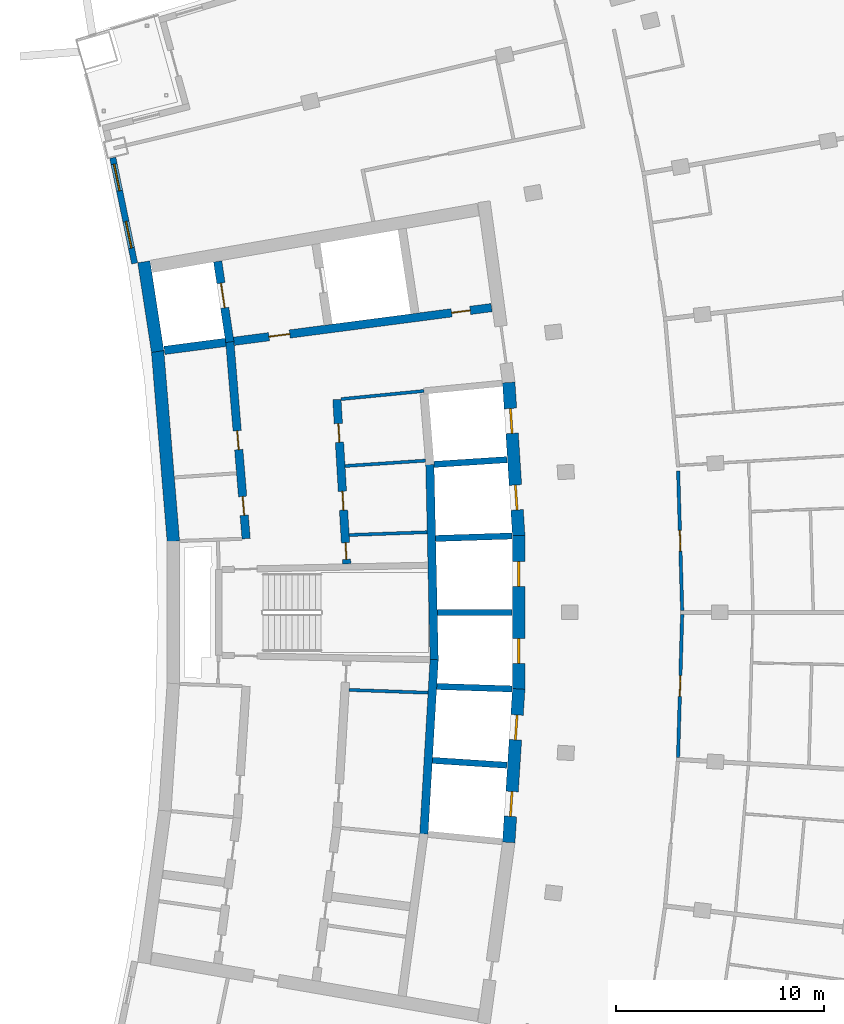
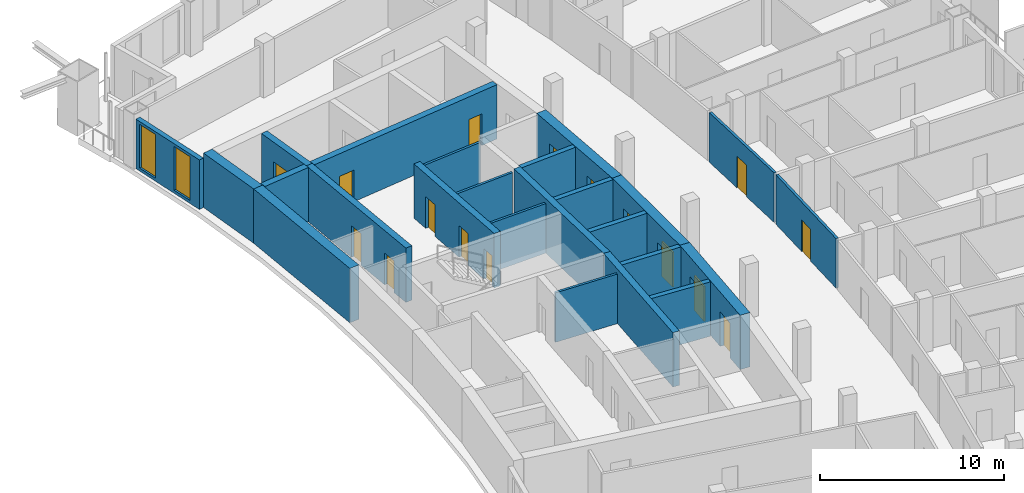
# One storey, part 12 of 19: 24 walls, 16 doors, 2 windows, 18 openings.
"""IFC4 building model written with IfcOpenShell, lengths in metres."""

from ifc_helpers import new_model, si_unit, direction, frame, frame_2d, origin, place, context, subcontext, project, spatial, rectangle, extrude, material, layer, layer_set, type_object, element, fill, save


model = new_model("IFC4")

# Units and contexts
model_context = context("Model", 3, precision=1e-05, world=origin(), true_north=direction((0.0, 1.0)))
body_context = subcontext(model_context, "Body", "Model", "MODEL_VIEW")
ifc_project = project(units=[si_unit("LENGTHUNIT", "METRE"), si_unit("AREAUNIT", "SQUARE_METRE"), si_unit("VOLUMEUNIT", "CUBIC_METRE"), si_unit("PLANEANGLEUNIT", "RADIAN"), si_unit("MASSUNIT", "GRAM", prefix="KILO")], contexts=[model_context])

# Site, building, storey
site_placement = place(None, origin())
site = spatial("IfcSite", under=ifc_project, at=site_placement, CompositionType="ELEMENT")
building_placement = place(site_placement, origin())
building = spatial("IfcBuilding", under=site, at=building_placement, Name="Alderwake Tower", CompositionType="ELEMENT")
storey_placement = place(building_placement, frame((0.0, 0.0, 228.800048828125)))
storey = spatial("IfcBuildingStorey", under=building, at=storey_placement, Name="L57", CompositionType="ELEMENT", Elevation=228.800048828125)

# Walls
ifc_material_1 = material(Name="Gypsum shaft wall system, rated")
ifc_layer_1 = layer(ifc_material_1, 0.14990234375)
ifc_layer_set_1 = layer_set([ifc_layer_1], Name="Core riser partition 150")
wall_type_1 = type_object("IfcWallType", Name="Core riser partition 150", PredefinedType="PARTITIONING", material=ifc_layer_set_1)
wall_1_placement = place(storey_placement, frame((25.1904296875, 57.276611328125, 0.0), z_axis=(0.0, 0.0, 1.0), x_axis=(0.999373547283, -0.03539086028, 0.0)))
element("IfcWall", 1, at=wall_1_placement, inside=storey, type_object=wall_type_1, Name="CW/L57/PR-37_+86", PredefinedType="PARTITIONING", context=body_context, shape_type="SweptSolid", body=[
    extrude(rectangle(XDim=3.794189453125, YDim=0.14990234375, at=frame_2d((1.89697265625, 0.0))), origin(), (0.0, 0.0, 1.0), 3.280029296875),
])
wall_2_placement = place(storey_placement, frame((25.191162109375, 64.723388671875, 0.0), z_axis=(0.0, 0.0, 1.0), x_axis=(0.999373256208, 0.035399078746, 0.0)))
element("IfcWall", 2, at=wall_2_placement, inside=storey, type_object=wall_type_1, Name="CW/L57/PR+37_+86", PredefinedType="PARTITIONING", context=body_context, shape_type="SweptSolid", body=[
    extrude(rectangle(XDim=3.751953125, YDim=0.14990234375, at=frame_2d((1.8759765625, 0.0))), origin(), (0.0, 0.0, 1.0), 3.280029296875),
])
ifc_material_2 = material(Name="Gypsum shaft wall system, rated")
ifc_layer_2 = layer(ifc_material_2, 0.14990234375)
ifc_layer_set_2 = layer_set([ifc_layer_2], Name="Core room partition 150")
wall_type_2 = type_object("IfcWallType", Name="Core room partition 150", PredefinedType="PARTITIONING", material=ifc_layer_set_2)
wall_3_placement = place(storey_placement, frame((24.992431640625, 68.038818359375, 0.0), z_axis=(0.0, 0.0, 1.0), x_axis=(0.997760236964, 0.066891774789, 0.0)))
element("IfcWall", 3, at=wall_3_placement, inside=storey, type_object=wall_type_2, Name="CW/L57/PR+70_+86", PredefinedType="PARTITIONING", context=body_context, shape_type="SweptSolid", body=[
    extrude(rectangle(XDim=3.86865234375, YDim=0.14990234375, at=frame_2d((1.934326171875, 0.0))), origin(), (0.0, 0.0, 1.0), 3.280029296875),
])
wall_4_placement = place(storey_placement, frame((24.799560546875, 71.2548828125, 0.0), z_axis=(0.0, 0.0, 1.0), x_axis=(0.995250000627, 0.097352125046, 0.0)))
element("IfcWall", 4, at=wall_4_placement, inside=storey, type_object=wall_type_2, Name="CW/L57/PR+102_+86", PredefinedType="PARTITIONING", context=body_context, shape_type="SweptSolid", body=[
    extrude(rectangle(XDim=4.0, YDim=0.14990234375, at=frame_2d((2.0, 0.0))), origin(), (0.0, 0.0, 1.0), 3.280029296875),
])
ifc_material_3 = material(Name="Concrete C70/85", Category="concrete")
ifc_layer_3 = layer(ifc_material_3, 0.60009765625)
ifc_layer_set_3 = layer_set([ifc_layer_3], Name="Core wall outer 600 C70-85")
wall_type_3 = type_object("IfcWallType", Name="Core wall outer 600 C70-85", PredefinedType="SHEAR", material=ifc_layer_set_3)
wall_5_placement = place(storey_placement, frame((16.740478515625, 64.411376953125, 0.0), z_axis=(0.0, 0.0, 1.0), x_axis=(-0.082614307012, 0.996581595393, 0.0)))
element("IfcWall", 5, at=wall_5_placement, inside=storey, type_object=wall_type_3, Name="Core wall CW.035", PredefinedType="SHEAR", context=body_context, shape_type="SweptSolid", body=[
    extrude(rectangle(XDim=9.184814453125, YDim=0.60009765625, at=frame_2d((4.59228515625, 0.0))), origin(), (0.0, 0.0, 1.0), 3.599853515625),
])
wall_6_placement = place(storey_placement, frame((15.984130859375, 73.54296875, 0.0), z_axis=(0.0, 0.0, 1.0), x_axis=(-0.151922578304, 0.988392396876, 0.0)))
element("IfcWall", 6, at=wall_6_placement, inside=storey, type_object=wall_type_3, Name="Core wall CW.034", PredefinedType="SHEAR", context=body_context, shape_type="SweptSolid", body=[
    extrude(rectangle(XDim=4.361328125, YDim=0.60009765625, at=frame_2d((2.1806640625, 0.0))), origin(), (0.0, 0.0, 1.0), 3.599853515625),
])

# Wall, openings, doors
wall_7_placement = place(storey_placement, frame((32.860107421875, 49.9453125, 0.0), z_axis=(0.0, 0.0, 1.0), x_axis=(0.065013379938, 0.997884392317, 0.0)))
wall_7 = element("IfcWall", 7, at=wall_7_placement, inside=storey, type_object=wall_type_3, Name="Core wall CW.016", PredefinedType="SHEAR", context=body_context, shape_type="SweptSolid", body=[
    extrude(rectangle(XDim=7.39404296875, YDim=0.60009765625, at=frame_2d((3.697021484375, 0.0))), origin(), (0.0, 0.0, 1.0), 3.599853515625),
])
opening_1_placement = place(wall_7_placement, frame((1.254150390625, 0.0, 0.0)))
opening_1 = element("IfcOpeningElement", 8, at=opening_1_placement, cuts=wall_7, Name="Opening LD-HP1", PredefinedType="OPENING", context=body_context, shape_type="SweptSolid", body=[
    extrude(rectangle(XDim=1.199951171875, YDim=2.300048828125, at=frame_2d((0.60009765625, 1.14990234375))), frame((0.0, 0.31005859375, 0.0), z_axis=(0.0, -1.0, 0.0), x_axis=(1.0, 0.0, 0.0)), (0.0, 0.0, 1.0), 0.6201171875),
])
opening_2_placement = place(wall_7_placement, frame((4.941162109375, 0.0, 0.0)))
opening_2 = element("IfcOpeningElement", 9, at=opening_2_placement, cuts=wall_7, Name="Opening LD-HP2", PredefinedType="OPENING", context=body_context, shape_type="SweptSolid", body=[
    extrude(rectangle(XDim=1.199951171875, YDim=2.300048828125, at=frame_2d((0.60009765625, 1.14990234375))), frame((0.0, 0.31005859375, 0.0), z_axis=(0.0, -1.0, 0.0), x_axis=(1.0, 0.0, 0.0)), (0.0, 0.0, 1.0), 0.6201171875),
])
ifc_material_4 = material(Name="Stainless steel sliding leaf", Category="steel")
door_type_1 = type_object("IfcDoorType", Name="Lift landing door 1200", OperationType="SLIDING_TO_LEFT", PredefinedType="DOOR", material=ifc_material_4)
door_1_placement = place(opening_1_placement, origin())
door_1 = element("IfcDoor", 10, at=door_1_placement, inside=storey, type_object=door_type_1, Name="Lift landing door HP1", OperationType="SLIDING_TO_LEFT", OverallHeight=2.300048828125, OverallWidth=1.199951171875, PredefinedType="DOOR", context=body_context, shape_type="SweptSolid", body=[
    extrude(rectangle(XDim=1.199951171875, YDim=2.300048828125, at=frame_2d((0.60009765625, 1.14990234375))), frame((0.0, 0.050048828125, 0.0), z_axis=(0.0, -1.0, 0.0), x_axis=(1.0, 0.0, 0.0)), (0.0, 0.0, 1.0), 0.10009765625),
])
fill(opening_1, door_1)
door_2_placement = place(opening_2_placement, origin())
door_2 = element("IfcDoor", 11, at=door_2_placement, inside=storey, type_object=door_type_1, Name="Lift landing door HP2", OperationType="SLIDING_TO_LEFT", OverallHeight=2.300048828125, OverallWidth=1.199951171875, PredefinedType="DOOR", context=body_context, shape_type="SweptSolid", body=[
    extrude(rectangle(XDim=1.199951171875, YDim=2.300048828125, at=frame_2d((0.60009765625, 1.14990234375))), frame((0.0, 0.050048828125, 0.0), z_axis=(0.0, -1.0, 0.0), x_axis=(1.0, 0.0, 0.0)), (0.0, 0.0, 1.0), 0.10009765625),
])
fill(opening_2, door_2)

wall_8_placement = place(storey_placement, frame((33.340087890625, 57.30322265625, 0.0), z_axis=(0.0, 0.0, 1.0), x_axis=(0.0, 1.0, 0.0)))
wall_8 = element("IfcWall", 12, at=wall_8_placement, inside=storey, type_object=wall_type_3, Name="Core wall CW.018", PredefinedType="SHEAR", context=body_context, shape_type="SweptSolid", body=[
    extrude(rectangle(XDim=7.3935546875, YDim=0.60009765625, at=frame_2d((3.69677734375, 0.0))), origin(), (0.0, 0.0, 1.0), 3.599853515625),
])
opening_3_placement = place(wall_8_placement, frame((1.25341796875, 0.0, 0.0)))
opening_3 = element("IfcOpeningElement", 13, at=opening_3_placement, cuts=wall_8, Name="Opening LD-HP3", PredefinedType="OPENING", context=body_context, shape_type="SweptSolid", body=[
    extrude(rectangle(XDim=1.199951171875, YDim=2.300048828125, at=frame_2d((0.60009765625, 1.14990234375))), frame((0.0, 0.31005859375, 0.0), z_axis=(0.0, -1.0, 0.0), x_axis=(1.0, 0.0, 0.0)), (0.0, 0.0, 1.0), 0.6201171875),
])
opening_4_placement = place(wall_8_placement, frame((4.940185546875, 0.0, 0.0)))
opening_4 = element("IfcOpeningElement", 14, at=opening_4_placement, cuts=wall_8, Name="Opening LD-HP4", PredefinedType="OPENING", context=body_context, shape_type="SweptSolid", body=[
    extrude(rectangle(XDim=1.199951171875, YDim=2.300048828125, at=frame_2d((0.60009765625, 1.14990234375))), frame((0.0, 0.31005859375, 0.0), z_axis=(0.0, -1.0, 0.0), x_axis=(1.0, 0.0, 0.0)), (0.0, 0.0, 1.0), 0.6201171875),
])
door_3_placement = place(opening_3_placement, origin())
door_3 = element("IfcDoor", 15, at=door_3_placement, inside=storey, type_object=door_type_1, Name="Lift landing door HP3", OperationType="SLIDING_TO_LEFT", OverallHeight=2.300048828125, OverallWidth=1.199951171875, PredefinedType="DOOR", context=body_context, shape_type="SweptSolid", body=[
    extrude(rectangle(XDim=1.199951171875, YDim=2.300048828125, at=frame_2d((0.60009765625, 1.14990234375))), frame((0.0, 0.050048828125, 0.0), z_axis=(0.0, -1.0, 0.0), x_axis=(1.0, 0.0, 0.0)), (0.0, 0.0, 1.0), 0.10009765625),
])
fill(opening_3, door_3)
door_4_placement = place(opening_4_placement, origin())
door_4 = element("IfcDoor", 16, at=door_4_placement, inside=storey, type_object=door_type_1, Name="Lift landing door HP4", OperationType="SLIDING_TO_LEFT", OverallHeight=2.300048828125, OverallWidth=1.199951171875, PredefinedType="DOOR", context=body_context, shape_type="SweptSolid", body=[
    extrude(rectangle(XDim=1.199951171875, YDim=2.300048828125, at=frame_2d((0.60009765625, 1.14990234375))), frame((0.0, 0.050048828125, 0.0), z_axis=(0.0, -1.0, 0.0), x_axis=(1.0, 0.0, 0.0)), (0.0, 0.0, 1.0), 0.10009765625),
])
fill(opening_4, door_4)

wall_9_placement = place(storey_placement, frame((33.3408203125, 64.67626953125, 0.0), z_axis=(0.0, 0.0, 1.0), x_axis=(-0.065013379938, 0.997884392317, 0.0)))
wall_9 = element("IfcWall", 17, at=wall_9_placement, inside=storey, type_object=wall_type_3, Name="Core wall CW.015", PredefinedType="SHEAR", context=body_context, shape_type="SweptSolid", body=[
    extrude(rectangle(XDim=7.39404296875, YDim=0.60009765625, at=frame_2d((3.697021484375, 0.0))), origin(), (0.0, 0.0, 1.0), 3.599853515625),
])
opening_5_placement = place(wall_9_placement, frame((1.253173828125, 0.0, 0.0)))
opening_5 = element("IfcOpeningElement", 18, at=opening_5_placement, cuts=wall_9, Name="Opening LD-HP5", PredefinedType="OPENING", context=body_context, shape_type="SweptSolid", body=[
    extrude(rectangle(XDim=1.199951171875, YDim=2.300048828125, at=frame_2d((0.60009765625, 1.14990234375))), frame((0.0, 0.31005859375, 0.0), z_axis=(0.0, -1.0, 0.0), x_axis=(1.0, 0.0, 0.0)), (0.0, 0.0, 1.0), 0.6201171875),
])
opening_6_placement = place(wall_9_placement, frame((4.940185546875, 0.0, 0.0)))
opening_6 = element("IfcOpeningElement", 19, at=opening_6_placement, cuts=wall_9, Name="Opening LD-HP6", PredefinedType="OPENING", context=body_context, shape_type="SweptSolid", body=[
    extrude(rectangle(XDim=1.199951171875, YDim=2.300048828125, at=frame_2d((0.60009765625, 1.14990234375))), frame((0.0, 0.31005859375, 0.0), z_axis=(0.0, -1.0, 0.0), x_axis=(1.0, 0.0, 0.0)), (0.0, 0.0, 1.0), 0.6201171875),
])
door_5_placement = place(opening_5_placement, origin())
door_5 = element("IfcDoor", 20, at=door_5_placement, inside=storey, type_object=door_type_1, Name="Lift landing door HP5", OperationType="SLIDING_TO_LEFT", OverallHeight=2.300048828125, OverallWidth=1.199951171875, PredefinedType="DOOR", context=body_context, shape_type="SweptSolid", body=[
    extrude(rectangle(XDim=1.199951171875, YDim=2.300048828125, at=frame_2d((0.60009765625, 1.14990234375))), frame((0.0, 0.050048828125, 0.0), z_axis=(0.0, -1.0, 0.0), x_axis=(1.0, 0.0, 0.0)), (0.0, 0.0, 1.0), 0.10009765625),
])
fill(opening_5, door_5)
door_6_placement = place(opening_6_placement, origin())
door_6 = element("IfcDoor", 21, at=door_6_placement, inside=storey, type_object=door_type_1, Name="Lift landing door HP6", OperationType="SLIDING_TO_LEFT", OverallHeight=2.300048828125, OverallWidth=1.199951171875, PredefinedType="DOOR", context=body_context, shape_type="SweptSolid", body=[
    extrude(rectangle(XDim=1.199951171875, YDim=2.300048828125, at=frame_2d((0.60009765625, 1.14990234375))), frame((0.0, 0.050048828125, 0.0), z_axis=(0.0, -1.0, 0.0), x_axis=(1.0, 0.0, 0.0)), (0.0, 0.0, 1.0), 0.10009765625),
])
fill(opening_6, door_6)

# Walls
ifc_material_5 = material(Name="Concrete C70/85", Category="concrete")
ifc_layer_4 = layer(ifc_material_5, 0.300048828125)
ifc_layer_set_4 = layer_set([ifc_layer_4], Name="Core wall shaft 300 C70-85")
wall_type_4 = type_object("IfcWallType", Name="Core wall shaft 300 C70-85", PredefinedType="SHEAR", material=ifc_layer_set_4)
wall_10_placement = place(storey_placement, frame((29.190185546875, 53.8896484375, 0.0), z_axis=(0.0, 0.0, 1.0), x_axis=(0.997887207314, -0.064970158371, 0.0)))
element("IfcWall", 22, at=wall_10_placement, inside=storey, type_object=wall_type_4, Name="Core wall CW.078", PredefinedType="SHEAR", context=body_context, shape_type="SweptSolid", body=[
    extrude(rectangle(XDim=3.588623046875, YDim=0.300048828125, at=frame_2d((1.79443359375, 0.0))), origin(), (0.0, 0.0, 1.0), 3.599853515625),
])
wall_11_placement = place(storey_placement, frame((29.400634765625, 57.441650390625, 0.0), z_axis=(0.0, 0.0, 1.0), x_axis=(0.999471151072, -0.032517966969, 0.0)))
element("IfcWall", 23, at=wall_11_placement, inside=storey, type_object=wall_type_4, Name="Core wall CW.075", PredefinedType="SHEAR", context=body_context, shape_type="SweptSolid", body=[
    extrude(rectangle(XDim=3.611328125, YDim=0.300048828125, at=frame_2d((1.8056640625, 0.0))), origin(), (0.0, 0.0, 1.0), 3.599853515625),
])
wall_12_placement = place(storey_placement, frame((29.426025390625, 61.0, 0.0), z_axis=(0.0, 0.0, 1.0), x_axis=(1.0, 0.0, 0.0)))
element("IfcWall", 24, at=wall_12_placement, inside=storey, type_object=wall_type_4, Name="Core wall CW.048", PredefinedType="SHEAR", context=body_context, shape_type="SweptSolid", body=[
    extrude(rectangle(XDim=3.583984375, YDim=0.300048828125, at=frame_2d((1.7919921875, 0.0))), origin(), (0.0, 0.0, 1.0), 3.599853515625),
])
wall_13_placement = place(storey_placement, frame((29.347412109375, 64.556396484375, 0.0), z_axis=(0.0, 0.0, 1.0), x_axis=(0.99946918462, 0.032578351638, 0.0)))
element("IfcWall", 25, at=wall_13_placement, inside=storey, type_object=wall_type_4, Name="Core wall CW.058", PredefinedType="SHEAR", context=body_context, shape_type="SweptSolid", body=[
    extrude(rectangle(XDim=3.66455078125, YDim=0.300048828125, at=frame_2d((1.832275390625, 0.0))), origin(), (0.0, 0.0, 1.0), 3.599853515625),
])
wall_14_placement = place(storey_placement, frame((29.268798828125, 68.115478515625, 0.0), z_axis=(0.0, 0.0, 1.0), x_axis=(0.997887366571, 0.064967712281, 0.0)))
element("IfcWall", 26, at=wall_14_placement, inside=storey, type_object=wall_type_4, Name="Core wall CW.061", PredefinedType="SHEAR", context=body_context, shape_type="SweptSolid", body=[
    extrude(rectangle(XDim=3.509765625, YDim=0.300048828125, at=frame_2d((1.7548828125, 0.0))), origin(), (0.0, 0.0, 1.0), 3.599853515625),
])

# Wall, openings, doors
ifc_material_6 = material(Name="Concrete C70/85", Category="concrete")
ifc_layer_5 = layer(ifc_material_6, 0.39990234375)
ifc_layer_set_5 = layer_set([ifc_layer_5], Name="Core wall spine 400 C70-85")
wall_type_5 = type_object("IfcWallType", Name="Core wall spine 400 C70-85", PredefinedType="SHEAR", material=ifc_layer_set_5)
wall_15_placement = place(storey_placement, frame((19.452392578125, 74.014892578125, 0.0), z_axis=(0.0, 0.0, 1.0), x_axis=(0.082628585297, -0.996580411654, 0.0)))
wall_15 = element("IfcWall", 27, at=wall_15_placement, inside=storey, type_object=wall_type_5, Name="Core wall CW.031", PredefinedType="SHEAR", context=body_context, shape_type="SweptSolid", body=[
    extrude(rectangle(XDim=9.499267578125, YDim=0.39990234375, at=frame_2d((4.74951171875, 0.0))), origin(), (0.0, 0.0, 1.0), 3.599853515625),
])
opening_7_placement = place(wall_15_placement, frame((7.468017578125, 0.0, 0.0)))
opening_7 = element("IfcOpeningElement", 28, at=opening_7_placement, cuts=wall_15, Name="Opening C053", PredefinedType="OPENING", context=body_context, shape_type="SweptSolid", body=[
    extrude(rectangle(XDim=0.89990234375, YDim=2.10009765625, at=frame_2d((0.449951171875, 1.050048828125))), frame((0.0, 0.2099609375, 0.0), z_axis=(0.0, -1.0, 0.0), x_axis=(1.0, 0.0, 0.0)), (0.0, 0.0, 1.0), 0.419921875),
])
opening_8_placement = place(wall_15_placement, frame((4.30322265625, 0.0, 0.0)))
opening_8 = element("IfcOpeningElement", 29, at=opening_8_placement, cuts=wall_15, Name="Opening C054", PredefinedType="OPENING", context=body_context, shape_type="SweptSolid", body=[
    extrude(rectangle(XDim=0.89990234375, YDim=2.10009765625, at=frame_2d((0.449951171875, 1.050048828125))), frame((0.0, 0.2099609375, 0.0), z_axis=(0.0, -1.0, 0.0), x_axis=(1.0, 0.0, 0.0)), (0.0, 0.0, 1.0), 0.419921875),
])
ifc_material_7 = material(Name="Painted steel leaf", Category="steel")
door_type_2 = type_object("IfcDoorType", Name="Core room door 900", OperationType="SINGLE_SWING_LEFT", PredefinedType="DOOR", material=ifc_material_7)
door_7_placement = place(opening_7_placement, origin())
door_7 = element("IfcDoor", 30, at=door_7_placement, inside=storey, type_object=door_type_2, Name="Room door", OperationType="SINGLE_SWING_LEFT", OverallHeight=2.10009765625, OverallWidth=0.89990234375, PredefinedType="DOOR", context=body_context, shape_type="SweptSolid", body=[
    extrude(rectangle(XDim=0.89990234375, YDim=2.10009765625, at=frame_2d((0.449951171875, 1.050048828125))), frame((0.0, 0.02490234375, 0.0), z_axis=(0.0, -1.0, 0.0), x_axis=(1.0, 0.0, 0.0)), (0.0, 0.0, 1.0), 0.050048828125),
])
fill(opening_7, door_7)
door_8_placement = place(opening_8_placement, origin())
door_8 = element("IfcDoor", 31, at=door_8_placement, inside=storey, type_object=door_type_2, Name="Room door", OperationType="SINGLE_SWING_RIGHT", OverallHeight=2.10009765625, OverallWidth=0.89990234375, PredefinedType="DOOR", context=body_context, shape_type="SweptSolid", body=[
    extrude(rectangle(XDim=0.89990234375, YDim=2.10009765625, at=frame_2d((0.449951171875, 1.050048828125))), frame((0.0, 0.02490234375, 0.0), z_axis=(0.0, -1.0, 0.0), x_axis=(1.0, 0.0, 0.0)), (0.0, 0.0, 1.0), 0.050048828125),
])
fill(opening_8, door_8)

# Wall, opening, door
wall_16_placement = place(storey_placement, frame((19.4541015625, 74.00048828125, 0.0), z_axis=(0.0, 0.0, 1.0), x_axis=(-0.148977743105, 0.98884054936, 0.0)))
wall_16 = element("IfcWall", 32, at=wall_16_placement, inside=storey, type_object=wall_type_5, Name="Core wall CW.030", PredefinedType="SHEAR", context=body_context, shape_type="SweptSolid", body=[
    extrude(rectangle(XDim=3.9150390625, YDim=0.39990234375, at=frame_2d((1.95751953125, 0.0))), origin(), (0.0, 0.0, 1.0), 3.599853515625),
])
opening_9_placement = place(wall_16_placement, frame((1.6611328125, 0.0, 0.0)))
opening_9 = element("IfcOpeningElement", 33, at=opening_9_placement, cuts=wall_16, Name="Opening LD-FF1", PredefinedType="OPENING", context=body_context, shape_type="SweptSolid", body=[
    extrude(rectangle(XDim=1.199951171875, YDim=2.300048828125, at=frame_2d((0.60009765625, 1.14990234375))), frame((0.0, 0.2099609375, 0.0), z_axis=(0.0, -1.0, 0.0), x_axis=(1.0, 0.0, 0.0)), (0.0, 0.0, 1.0), 0.419921875),
])
door_9_placement = place(opening_9_placement, origin())
door_9 = element("IfcDoor", 34, at=door_9_placement, inside=storey, type_object=door_type_1, Name="Lift landing door FF1", OperationType="SLIDING_TO_LEFT", OverallHeight=2.300048828125, OverallWidth=1.199951171875, PredefinedType="DOOR", context=body_context, shape_type="SweptSolid", body=[
    extrude(rectangle(XDim=1.199951171875, YDim=2.300048828125, at=frame_2d((0.60009765625, 1.14990234375))), frame((0.0, 0.02490234375, 0.0), z_axis=(0.0, -1.0, 0.0), x_axis=(1.0, 0.0, 0.0)), (0.0, 0.0, 1.0), 0.050048828125),
])
fill(opening_9, door_9)

# Wall, openings, doors
wall_17_placement = place(storey_placement, frame((25.073974609375, 63.335693359375, 0.0), z_axis=(0.0, 0.0, 1.0), x_axis=(-0.059848641072, 0.998207463487, 0.0)))
wall_17 = element("IfcWall", 35, at=wall_17_placement, inside=storey, type_object=wall_type_5, Name="Core wall CW.045", PredefinedType="SHEAR", context=body_context, shape_type="SweptSolid", body=[
    extrude(rectangle(XDim=7.913818359375, YDim=0.39990234375, at=frame_2d((3.95703125, 0.0))), origin(), (0.0, 0.0, 1.0), 3.599853515625),
])
opening_10_placement = place(wall_17_placement, frame((0.216064453125, 0.0, 0.0)))
opening_10 = element("IfcOpeningElement", 36, at=opening_10_placement, cuts=wall_17, Name="Opening C005", PredefinedType="OPENING", context=body_context, shape_type="SweptSolid", body=[
    extrude(rectangle(XDim=0.800048828125, YDim=2.0, at=frame_2d((0.39990234375, 1.0))), frame((0.0, 0.2099609375, 0.0), z_axis=(0.0, -1.0, 0.0), x_axis=(1.0, 0.0, 0.0)), (0.0, 0.0, 1.0), 0.419921875),
])
opening_11_placement = place(wall_17_placement, frame((5.856201171875, 0.0, 0.0)))
opening_11 = element("IfcOpeningElement", 37, at=opening_11_placement, cuts=wall_17, Name="Opening C023", PredefinedType="OPENING", context=body_context, shape_type="SweptSolid", body=[
    extrude(rectangle(XDim=0.89990234375, YDim=2.10009765625, at=frame_2d((0.449951171875, 1.050048828125))), frame((0.0, 0.2099609375, 0.0), z_axis=(0.0, -1.0, 0.0), x_axis=(1.0, 0.0, 0.0)), (0.0, 0.0, 1.0), 0.419921875),
])
opening_12_placement = place(wall_17_placement, frame((2.590087890625, 0.0, 0.0)))
opening_12 = element("IfcOpeningElement", 38, at=opening_12_placement, cuts=wall_17, Name="Opening C059", PredefinedType="OPENING", context=body_context, shape_type="SweptSolid", body=[
    extrude(rectangle(XDim=0.89990234375, YDim=2.10009765625, at=frame_2d((0.449951171875, 1.050048828125))), frame((0.0, 0.2099609375, 0.0), z_axis=(0.0, -1.0, 0.0), x_axis=(1.0, 0.0, 0.0)), (0.0, 0.0, 1.0), 0.419921875),
])
door_10_placement = place(opening_11_placement, origin())
door_10 = element("IfcDoor", 39, at=door_10_placement, inside=storey, type_object=door_type_2, Name="Room door", OperationType="SINGLE_SWING_RIGHT", OverallHeight=2.10009765625, OverallWidth=0.89990234375, PredefinedType="DOOR", context=body_context, shape_type="SweptSolid", body=[
    extrude(rectangle(XDim=0.89990234375, YDim=2.10009765625, at=frame_2d((0.449951171875, 1.050048828125))), frame((0.0, 0.02490234375, 0.0), z_axis=(0.0, -1.0, 0.0), x_axis=(1.0, 0.0, 0.0)), (0.0, 0.0, 1.0), 0.050048828125),
])
fill(opening_11, door_10)
door_11_placement = place(opening_12_placement, origin())
door_11 = element("IfcDoor", 40, at=door_11_placement, inside=storey, type_object=door_type_2, Name="Room door", OperationType="SINGLE_SWING_LEFT", OverallHeight=2.10009765625, OverallWidth=0.89990234375, PredefinedType="DOOR", context=body_context, shape_type="SweptSolid", body=[
    extrude(rectangle(XDim=0.89990234375, YDim=2.10009765625, at=frame_2d((0.449951171875, 1.050048828125))), frame((0.0, 0.02490234375, 0.0), z_axis=(0.0, -1.0, 0.0), x_axis=(1.0, 0.0, 0.0)), (0.0, 0.0, 1.0), 0.050048828125),
])
fill(opening_12, door_11)
ifc_material_8 = material(Name="Painted steel leaf, rated", Category="steel")
door_type_3 = type_object("IfcDoorType", Name="Riser access door 800", OperationType="SINGLE_SWING_LEFT", PredefinedType="DOOR", material=ifc_material_8)
door_12_placement = place(opening_10_placement, origin())
door_12 = element("IfcDoor", 41, at=door_12_placement, inside=storey, type_object=door_type_3, Name="Riser access door", OperationType="SINGLE_SWING_LEFT", OverallHeight=2.0, OverallWidth=0.800048828125, PredefinedType="DOOR", context=body_context, shape_type="SweptSolid", body=[
    extrude(rectangle(XDim=0.800048828125, YDim=2.0, at=frame_2d((0.39990234375, 1.0))), frame((0.0, 0.02490234375, 0.0), z_axis=(0.0, -1.0, 0.0), x_axis=(1.0, 0.0, 0.0)), (0.0, 0.0, 1.0), 0.050048828125),
])
fill(opening_10, door_12)

# Walls
wall_18_placement = place(storey_placement, frame((28.780029296875, 50.34765625, 0.0), z_axis=(0.0, 0.0, 1.0), x_axis=(0.05912910263, 0.998250343963, 0.0)))
element("IfcWall", 42, at=wall_18_placement, inside=storey, type_object=wall_type_5, Name="Core wall CW.004", PredefinedType="SHEAR", context=body_context, shape_type="SweptSolid", body=[
    extrude(rectangle(XDim=8.40234375, YDim=0.39990234375, at=frame_2d((4.201171875, 0.0))), origin(), (0.0, 0.0, 1.0), 3.599853515625),
])
wall_19_placement = place(storey_placement, frame((29.276611328125, 58.71826171875, 0.0), z_axis=(0.0, 0.0, 1.0), x_axis=(-0.022119171053, 0.999755341207, 0.0)))
element("IfcWall", 43, at=wall_19_placement, inside=storey, type_object=wall_type_5, Name="Core wall CW.007", PredefinedType="SHEAR", context=body_context, shape_type="SweptSolid", body=[
    extrude(rectangle(XDim=9.392822265625, YDim=0.39990234375, at=frame_2d((4.6962890625, 0.0))), origin(), (0.0, 0.0, 1.0), 3.599853515625),
])
wall_20_placement = place(storey_placement, frame((16.31005859375, 73.5966796875, 0.0), z_axis=(0.0, 0.0, 1.0), x_axis=(0.99155863891, 0.12965903595, 0.0)))
element("IfcWall", 44, at=wall_20_placement, inside=storey, type_object=wall_type_5, Name="Core wall CW.051", PredefinedType="SHEAR", context=body_context, shape_type="SweptSolid", body=[
    extrude(rectangle(XDim=2.969482421875, YDim=0.39990234375, at=frame_2d((1.48486328125, 0.0))), origin(), (0.0, 0.0, 1.0), 3.599853515625),
])

# Wall, openings, doors
wall_21_placement = place(storey_placement, frame((32.032958984375, 75.653076171875, 0.0), z_axis=(0.0, 0.0, 1.0), x_axis=(-0.991554886316, -0.129687730428, 0.0)))
wall_21 = element("IfcWall", 45, at=wall_21_placement, inside=storey, type_object=wall_type_5, Name="Core wall CW.052", PredefinedType="SHEAR", context=body_context, shape_type="SweptSolid", body=[
    extrude(rectangle(XDim=12.48681640625, YDim=0.39990234375, at=frame_2d((6.243408203125, 0.0))), origin(), (0.0, 0.0, 1.0), 3.599853515625),
])
opening_13_placement = place(wall_21_placement, frame((9.787109375, 0.0, 0.0)))
opening_13 = element("IfcOpeningElement", 46, at=opening_13_placement, cuts=wall_21, Name="Opening C002", PredefinedType="OPENING", context=body_context, shape_type="SweptSolid", body=[
    extrude(rectangle(XDim=1.0, YDim=2.10009765625, at=frame_2d((0.5, 1.050048828125))), frame((0.0, 0.2099609375, 0.0), z_axis=(0.0, -1.0, 0.0), x_axis=(1.0, 0.0, 0.0)), (0.0, 0.0, 1.0), 0.419921875),
])
opening_14_placement = place(wall_21_placement, frame((1.037109375, 0.0, 0.0)))
opening_14 = element("IfcOpeningElement", 47, at=opening_14_placement, cuts=wall_21, Name="Opening C020", PredefinedType="OPENING", context=body_context, shape_type="SweptSolid", body=[
    extrude(rectangle(XDim=0.89990234375, YDim=2.10009765625, at=frame_2d((0.449951171875, 1.050048828125))), frame((0.0, 0.2099609375, 0.0), z_axis=(0.0, -1.0, 0.0), x_axis=(1.0, 0.0, 0.0)), (0.0, 0.0, 1.0), 0.419921875),
])
door_13_placement = place(opening_14_placement, origin())
door_13 = element("IfcDoor", 48, at=door_13_placement, inside=storey, type_object=door_type_2, Name="Room door", OperationType="SINGLE_SWING_LEFT", OverallHeight=2.10009765625, OverallWidth=0.89990234375, PredefinedType="DOOR", context=body_context, shape_type="SweptSolid", body=[
    extrude(rectangle(XDim=0.89990234375, YDim=2.10009765625, at=frame_2d((0.449951171875, 1.050048828125))), frame((0.0, 0.02490234375, 0.0), z_axis=(0.0, -1.0, 0.0), x_axis=(1.0, 0.0, 0.0)), (0.0, 0.0, 1.0), 0.050048828125),
])
fill(opening_14, door_13)
ifc_material_9 = material(Name="Steel-framed fire door leaf", Category="steel")
door_type_4 = type_object("IfcDoorType", Name="Firefighting lobby door 1000 fire-rated", OperationType="SINGLE_SWING_LEFT", PredefinedType="DOOR", material=ifc_material_9)
door_14_placement = place(opening_13_placement, origin())
door_14 = element("IfcDoor", 49, at=door_14_placement, inside=storey, type_object=door_type_4, Name="Firefighting lobby door", OperationType="SINGLE_SWING_RIGHT", OverallHeight=2.10009765625, OverallWidth=1.0, PredefinedType="DOOR", context=body_context, shape_type="SweptSolid", body=[
    extrude(rectangle(XDim=1.0, YDim=2.10009765625, at=frame_2d((0.5, 1.050048828125))), frame((0.0, 0.02490234375, 0.0), z_axis=(0.0, -1.0, 0.0), x_axis=(1.0, 0.0, 0.0)), (0.0, 0.0, 1.0), 0.050048828125),
])
fill(opening_13, door_14)

# Wall, opening, door
ifc_material_10 = material(Name="Gypsum board on metal studs, rated")
ifc_layer_6 = layer(ifc_material_10, 0.159912109375)
ifc_layer_set_6 = layer_set([ifc_layer_6], Name="Corridor wall 160")
wall_type_6 = type_object("IfcWallType", Name="Corridor wall 160", PredefinedType="PARTITIONING", material=ifc_layer_set_6)
wall_22_placement = place(storey_placement, frame((41.196044921875, 60.89892578125, 0.0), z_axis=(0.0, 0.0, 1.0), x_axis=(-0.028865238788, -0.99958331218, 0.0)))
wall_22 = element("IfcWall", 50, at=wall_22_placement, inside=storey, type_object=wall_type_6, Name="WL/L57/W27", PredefinedType="PARTITIONING", context=body_context, shape_type="SweptSolid", body=[
    extrude(rectangle(XDim=6.867919921875, YDim=0.159912109375, at=frame_2d((3.43408203125, 0.0))), origin(), (0.0, 0.0, 1.0), 3.280029296875),
])
opening_15_placement = place(wall_22_placement, frame((2.933837890625, 0.0, 0.0)))
opening_15 = element("IfcOpeningElement", 51, at=opening_15_placement, cuts=wall_22, Name="Opening R16-U05.1", PredefinedType="OPENING", context=body_context, shape_type="SweptSolid", body=[
    extrude(rectangle(XDim=1.0, YDim=2.10009765625, at=frame_2d((0.5, 1.050048828125))), frame((0.0, 0.08984375, 0.0), z_axis=(0.0, -1.0, 0.0), x_axis=(1.0, 0.0, 0.0)), (0.0, 0.0, 1.0), 0.179931640625),
])
ifc_material_11 = material(Name="Solid timber leaf in steel frame", Category="steel")
door_type_5 = type_object("IfcDoorType", Name="Flat entrance door 1000 fire-rated", OperationType="SINGLE_SWING_LEFT", PredefinedType="DOOR", material=ifc_material_11)
door_15_placement = place(opening_15_placement, origin())
door_15 = element("IfcDoor", 52, at=door_15_placement, inside=storey, type_object=door_type_5, Name="DR/L57/U05.1", OperationType="SINGLE_SWING_LEFT", OverallHeight=2.10009765625, OverallWidth=1.0, PredefinedType="DOOR", context=body_context, shape_type="SweptSolid", body=[
    extrude(rectangle(XDim=1.0, YDim=2.10009765625, at=frame_2d((0.5, 1.050048828125))), frame((0.0, 0.02490234375, 0.0), z_axis=(0.0, -1.0, 0.0), x_axis=(1.0, 0.0, 0.0)), (0.0, 0.0, 1.0), 0.050048828125),
])
fill(opening_15, door_15)

wall_23_placement = place(storey_placement, frame((41.002685546875, 67.80029296875, 0.0), z_axis=(0.0, 0.0, 1.0), x_axis=(0.0288425569, -0.999583966914, 0.0)))
wall_23 = element("IfcWall", 53, at=wall_23_placement, inside=storey, type_object=wall_type_6, Name="WL/L57/W29", PredefinedType="PARTITIONING", context=body_context, shape_type="SweptSolid", body=[
    extrude(rectangle(XDim=6.703857421875, YDim=0.159912109375, at=frame_2d((3.35205078125, 0.0))), origin(), (0.0, 0.0, 1.0), 3.280029296875),
])
opening_16_placement = place(wall_23_placement, frame((2.85205078125, 0.0, 0.0)))
opening_16 = element("IfcOpeningElement", 54, at=opening_16_placement, cuts=wall_23, Name="Opening R16-U06.1", PredefinedType="OPENING", context=body_context, shape_type="SweptSolid", body=[
    extrude(rectangle(XDim=1.0, YDim=2.10009765625, at=frame_2d((0.5, 1.050048828125))), frame((0.0, 0.08984375, 0.0), z_axis=(0.0, -1.0, 0.0), x_axis=(1.0, 0.0, 0.0)), (0.0, 0.0, 1.0), 0.179931640625),
])
door_16_placement = place(opening_16_placement, origin())
door_16 = element("IfcDoor", 55, at=door_16_placement, inside=storey, type_object=door_type_5, Name="DR/L57/U06.1", OperationType="SINGLE_SWING_LEFT", OverallHeight=2.10009765625, OverallWidth=1.0, PredefinedType="DOOR", context=body_context, shape_type="SweptSolid", body=[
    extrude(rectangle(XDim=1.0, YDim=2.10009765625, at=frame_2d((0.5, 1.050048828125))), frame((0.0, 0.02490234375, 0.0), z_axis=(0.0, -1.0, 0.0), x_axis=(1.0, 0.0, 0.0)), (0.0, 0.0, 1.0), 0.050048828125),
])
fill(opening_16, door_16)

# Wall, openings, windows
ifc_material_12 = material(Name="Precast concrete C50/60 spandrel panel", Category="concrete")
ifc_layer_7 = layer(ifc_material_12, 0.300048828125)
ifc_layer_set_7 = layer_set([ifc_layer_7], Name="External wall EW1 Precast concrete C50/60 spandrel")
wall_type_7 = type_object("IfcWallType", Name="External wall EW1 Precast concrete C50/60 spandrel", PredefinedType="SOLIDWALL", material=ifc_layer_set_7)
wall_24_placement = place(storey_placement, frame((13.826904296875, 82.8544921875, 0.0), z_axis=(0.0, 0.0, 1.0), x_axis=(0.202730149235, -0.979234643276, 0.0)))
wall_24 = element("IfcWall", 56, at=wall_24_placement, inside=storey, type_object=wall_type_7, Name="External wall 31", PredefinedType="SOLIDWALL", context=body_context, shape_type="SweptSolid", body=[
    extrude(rectangle(XDim=5.185546875, YDim=0.300048828125, at=frame_2d((2.5927734375, 0.0))), origin(), (0.0, 0.0, 1.0), 3.280029296875),
])
opening_17_placement = place(wall_24_placement, frame((0.316162109375, 0.0, 0.199951171875)))
opening_17 = element("IfcOpeningElement", 57, at=opening_17_placement, cuts=wall_24, Name="Opening W1", PredefinedType="OPENING", context=body_context, shape_type="SweptSolid", body=[
    extrude(rectangle(XDim=1.300048828125, YDim=2.89990234375, at=frame_2d((0.64990234375, 1.449951171875))), frame((0.0, 0.159912109375, 0.0), z_axis=(0.0, -1.0, 0.0), x_axis=(1.0, 0.0, 0.0)), (0.0, 0.0, 1.0), 0.320068359375),
])
opening_18_placement = place(wall_24_placement, frame((3.12890625, 0.0, 0.199951171875)))
opening_18 = element("IfcOpeningElement", 58, at=opening_18_placement, cuts=wall_24, Name="Opening W1", PredefinedType="OPENING", context=body_context, shape_type="SweptSolid", body=[
    extrude(rectangle(XDim=1.300048828125, YDim=2.89990234375, at=frame_2d((0.64990234375, 1.449951171875))), frame((0.0, 0.159912109375, 0.0), z_axis=(0.0, -1.0, 0.0), x_axis=(1.0, 0.0, 0.0)), (0.0, 0.0, 1.0), 0.320068359375),
])
ifc_material_13 = material(Name="Bronze tinted glass in aluminium frame", Category="aluminium")
window_type = type_object("IfcWindowType", Name="Window W1 tall fixed and vent", PartitioningType="DOUBLE_PANEL_VERTICAL", PredefinedType="WINDOW", material=ifc_material_13)
window_1_placement = place(opening_17_placement, origin())
window_1 = element("IfcWindow", 59, at=window_1_placement, inside=storey, type_object=window_type, Name="Window W1 tall fixed and vent", OverallHeight=2.89990234375, OverallWidth=1.300048828125, PartitioningType="DOUBLE_PANEL_VERTICAL", PredefinedType="WINDOW", context=body_context, shape_type="SweptSolid", body=[
    extrude(rectangle(XDim=1.300048828125, YDim=2.89990234375, at=frame_2d((0.64990234375, 1.449951171875))), frame((0.0, 0.030029296875, 0.0), z_axis=(0.0, -1.0, 0.0), x_axis=(1.0, 0.0, 0.0)), (0.0, 0.0, 1.0), 0.06005859375),
])
fill(opening_17, window_1)
window_2_placement = place(opening_18_placement, origin())
window_2 = element("IfcWindow", 60, at=window_2_placement, inside=storey, type_object=window_type, Name="Window W1 tall fixed and vent", OverallHeight=2.89990234375, OverallWidth=1.300048828125, PartitioningType="DOUBLE_PANEL_VERTICAL", PredefinedType="WINDOW", context=body_context, shape_type="SweptSolid", body=[
    extrude(rectangle(XDim=1.300048828125, YDim=2.89990234375, at=frame_2d((0.64990234375, 1.449951171875))), frame((0.0, 0.030029296875, 0.0), z_axis=(0.0, -1.0, 0.0), x_axis=(1.0, 0.0, 0.0)), (0.0, 0.0, 1.0), 0.06005859375),
])
fill(opening_18, window_2)

save(model, "model.ifc")
